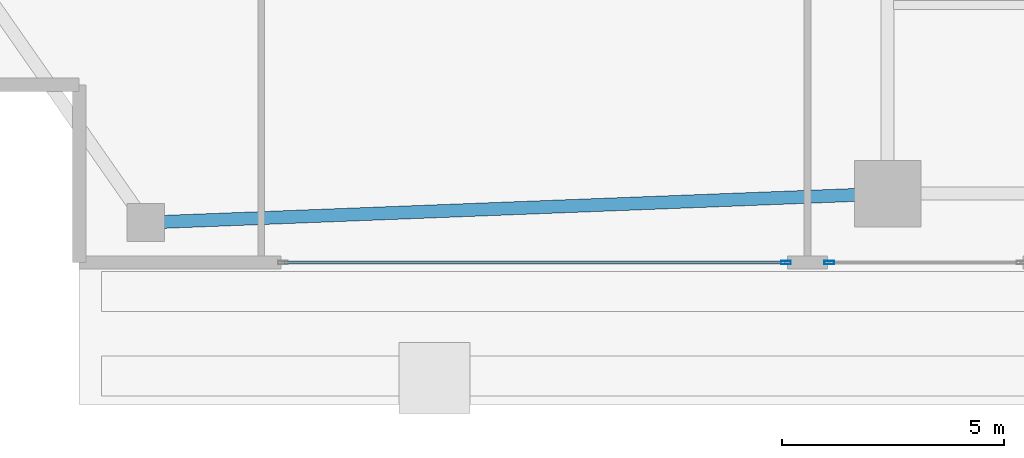
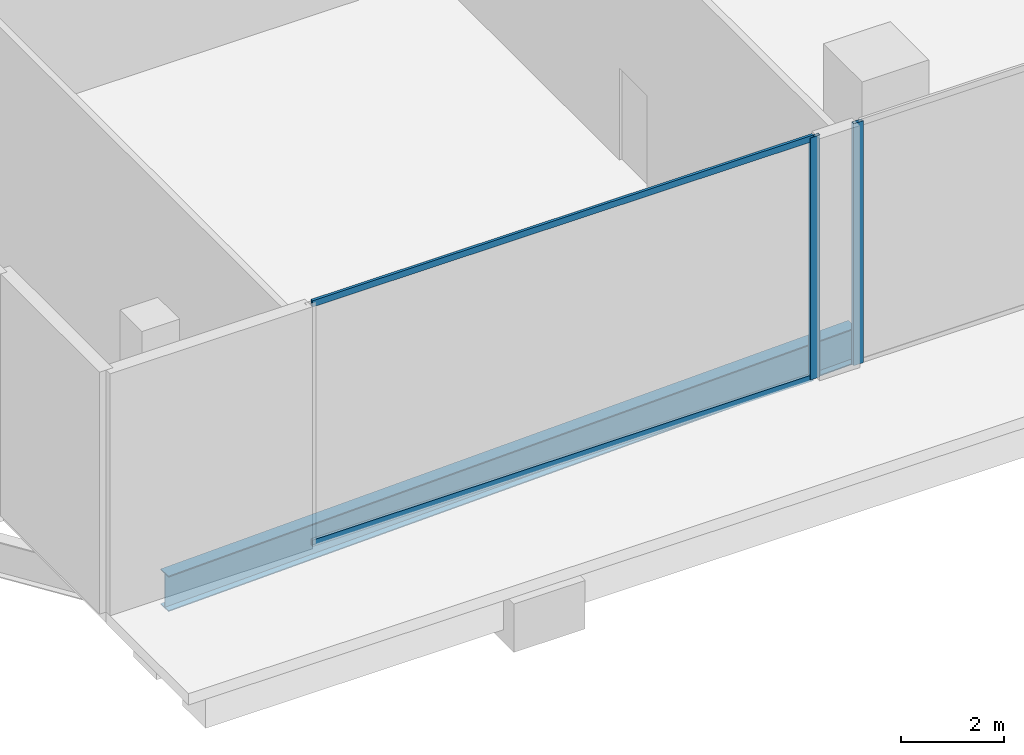
# One storey, part 4 of 39: 4 members, 1 beam, 2 elements without a shape of their own.
"""IFC4 building model written with IfcOpenShell, lengths in metres."""

from ifc_helpers import new_model, si_unit, direction, frame, origin, origin_2d, place, context, subcontext, project, spatial, hollow_rectangle, i_section, extrude, material, layer, layer_set, material_profile, profile_set, type_object, element, aggregate, save


model = new_model("IFC4")

# Units and contexts
model_context = context("Model", 3, precision=1e-05, world=origin(), true_north=direction((0.0, 1.0)))
body_context = subcontext(model_context, "Body", "Model", "MODEL_VIEW")
ifc_project = project(units=[si_unit("LENGTHUNIT", "METRE"), si_unit("AREAUNIT", "SQUARE_METRE"), si_unit("VOLUMEUNIT", "CUBIC_METRE"), si_unit("PLANEANGLEUNIT", "RADIAN"), si_unit("MASSUNIT", "GRAM", prefix="KILO")], contexts=[model_context])

# Site, building, storey
site_placement = place(None, origin())
site = spatial("IfcSite", under=ifc_project, at=site_placement, CompositionType="ELEMENT")
building_placement = place(site_placement, origin())
building = spatial("IfcBuilding", under=site, at=building_placement, Name="Zuhayl Quay Hotel", CompositionType="ELEMENT")
storey_placement = place(building_placement, origin())
storey = spatial("IfcBuildingStorey", under=building, at=storey_placement, Name="L00", CompositionType="ELEMENT", Elevation=0.0)

# Beam
ifc_material_1 = material(Name="Steel ASTM A992 Grade 50", Category="steel")
ifc_material_profile_1 = material_profile(ifc_material_1, i_section(OverallWidth=0.2919921875, OverallDepth=0.845947265625, WebThickness=0.015380859375, FlangeThickness=0.0244140625, at=origin_2d()), Name="W33X141")
ifc_profile_set_1 = profile_set([ifc_material_profile_1], Name="Steel ASTM A992 Grade 50")
beam_type = type_object("IfcBeamType", Name="BM_PG3_W33X141", PredefinedType="BEAM", material=ifc_profile_set_1)
beam_placement = place(storey_placement, frame((-30.160400390625, -23.0869140625, -0.68310546875), z_axis=(0.999243175194, 0.038898288239, 0.0), x_axis=(-0.038898288239, 0.999243175194, 0.0)))
element("IfcBeam", 1, at=beam_placement, inside=storey, type_object=beam_type, Name="L00 Floor Beam PG_S_L00_0", PredefinedType="BEAM", context=body_context, shape_type="SweptSolid", body=[
    extrude(i_section(OverallWidth=0.2919921875, OverallDepth=0.845947265625, WebThickness=0.015380859375, FlangeThickness=0.0244140625, at=origin_2d()), origin(), (0.0, 0.0, 1.0), 15.82275390625),
])

# Curtain wall, member
ifc_material_2 = material(Name="Anodised Aluminium 6063-T6", Category="aluminium")
ifc_layer = layer(ifc_material_2, 0.199951171875, Name="Anodised Aluminium 6063-T6", Category="aluminium")
ifc_layer_set = layer_set([ifc_layer], Name="Anodised Aluminium 6063-T6")
curtain_wall_type = type_object("IfcCurtainWallType", Name="CW_SYS_POD", PredefinedType="USERDEFINED", material=ifc_layer_set)
curtain_wall_1_placement = place(storey_placement, origin())
curtain_wall_1 = element("IfcCurtainWall", 2, at=curtain_wall_1_placement, inside=storey, type_object=curtain_wall_type, Name="L00 Curtain Wall ENV_L00_E11_CW5", ObjectType="UNITISED CURTAIN WALL", PredefinedType="USERDEFINED")
ifc_material_3 = material(Name="Black-anodised aluminium 6063-T6", Category="aluminium")
ifc_material_profile_2 = material_profile(ifc_material_3, hollow_rectangle(XDim=0.074951171875, YDim=0.219970703125, WallThickness=0.00390625, at=origin_2d()), Name="ALU220X75")
ifc_profile_set_2 = profile_set([ifc_material_profile_2], Name="Black-anodised aluminium 6063-T6")
member_type_1 = type_object("IfcMemberType", Name="MB_CW_MUL_220", PredefinedType="MULLION", material=ifc_profile_set_2)
member_1_placement = place(storey_placement, frame((-15.112548828125, -24.0, 0.0), z_axis=(0.0, 0.0, 1.0), x_axis=(0.0, -1.0, 0.0)))
member_1 = element("IfcMember", 3, at=member_1_placement, type_object=member_type_1, Name="CW-POD mullion 2", PredefinedType="MULLION", context=body_context, shape_type="SweptSolid", body=[
    extrude(hollow_rectangle(XDim=0.074951171875, YDim=0.219970703125, WallThickness=0.00390625, at=origin_2d()), origin(), (0.0, 0.0, 1.0), 5.75),
])
aggregate(curtain_wall_1, [member_1])

# Curtain wall, members
curtain_wall_2_placement = place(storey_placement, origin())
curtain_wall_2 = element("IfcCurtainWall", 4, at=curtain_wall_2_placement, inside=storey, type_object=curtain_wall_type, Name="L00 Curtain Wall ENV_L00_E11_CW6", ObjectType="UNITISED CURTAIN WALL", PredefinedType="USERDEFINED")
member_2_placement = place(storey_placement, frame((-16.08740234375, -24.0, 0.0), z_axis=(0.0, 0.0, 1.0), x_axis=(0.0, -1.0, 0.0)))
member_2 = element("IfcMember", 5, at=member_2_placement, type_object=member_type_1, Name="CW-POD mullion 1", PredefinedType="MULLION", context=body_context, shape_type="SweptSolid", body=[
    extrude(hollow_rectangle(XDim=0.074951171875, YDim=0.219970703125, WallThickness=0.00390625, at=origin_2d()), origin(), (0.0, 0.0, 1.0), 5.75),
])
ifc_material_profile_3 = material_profile(ifc_material_3, hollow_rectangle(XDim=0.06005859375, YDim=0.14990234375, WallThickness=0.00341796875, at=origin_2d()), Name="ALU150X60")
ifc_profile_set_3 = profile_set([ifc_material_profile_3], Name="Black-anodised aluminium 6063-T6")
member_type_2 = type_object("IfcMemberType", Name="MB_CW_TRN_150", PredefinedType="USERDEFINED", material=ifc_profile_set_3)
member_3_placement = place(storey_placement, frame((-16.125, -24.0, 0.030029296875), z_axis=(-1.0, 0.0, 0.0), x_axis=(0.0, -1.0, 0.0)))
member_3 = element("IfcMember", 6, at=member_3_placement, type_object=member_type_2, Name="CW-POD transom 1.1", ObjectType="TRANSOM", PredefinedType="USERDEFINED", context=body_context, shape_type="SweptSolid", body=[
    extrude(hollow_rectangle(XDim=0.06005859375, YDim=0.14990234375, WallThickness=0.00341796875, at=origin_2d()), origin(), (0.0, 0.0, 1.0), 11.25),
])
member_4_placement = place(storey_placement, frame((-16.125, -24.0, 5.719970703125), z_axis=(-1.0, 0.0, 0.0), x_axis=(0.0, -1.0, 0.0)))
member_4 = element("IfcMember", 7, at=member_4_placement, type_object=member_type_2, Name="CW-POD transom 1.2", ObjectType="TRANSOM", PredefinedType="USERDEFINED", context=body_context, shape_type="SweptSolid", body=[
    extrude(hollow_rectangle(XDim=0.06005859375, YDim=0.14990234375, WallThickness=0.00341796875, at=origin_2d()), origin(), (0.0, 0.0, 1.0), 11.25),
])
aggregate(curtain_wall_2, [member_2, member_3, member_4])

save(model, "model.ifc")
